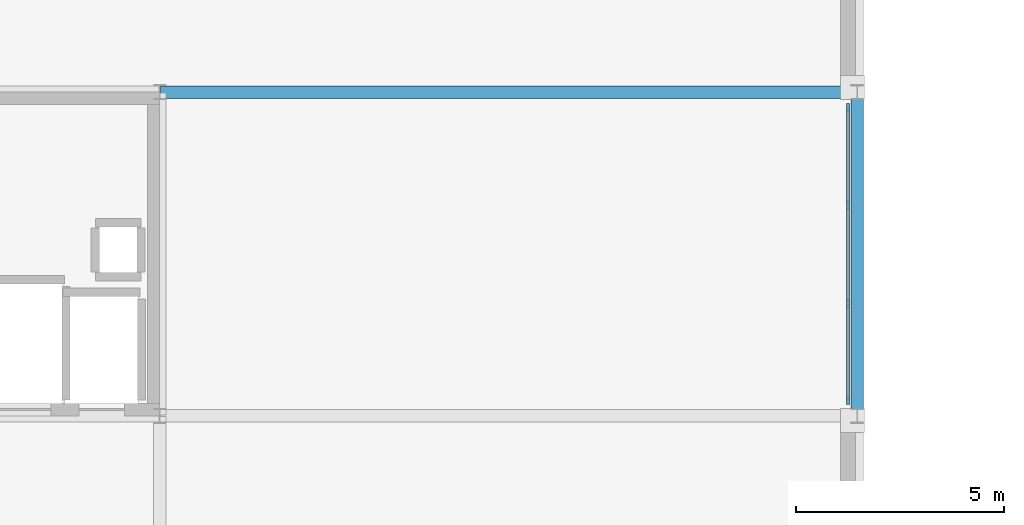
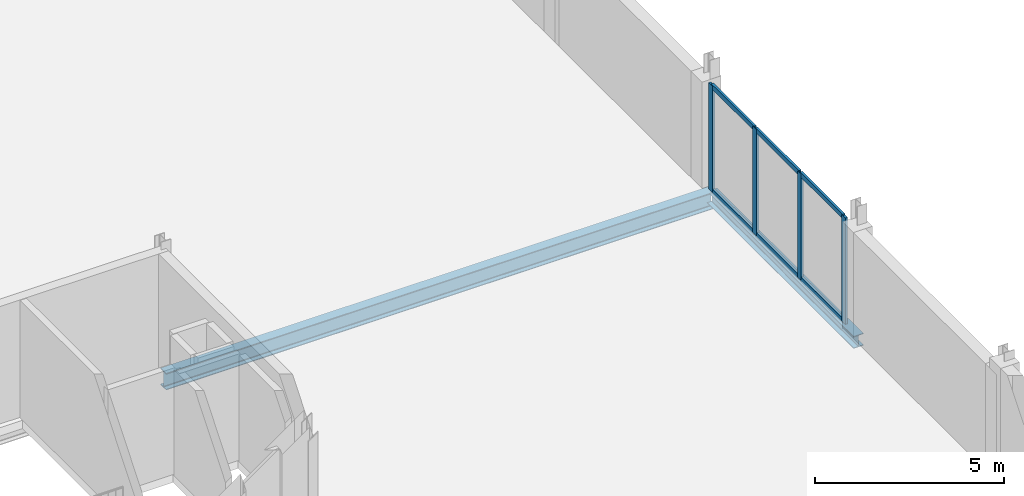
# One storey, part 23 of 77: 10 members, 2 beams, 1 element without a shape of its own.
"""IFC4 building model written with IfcOpenShell, lengths in metres."""

from ifc_helpers import new_model, si_unit, direction, frame, origin, origin_2d, place, context, subcontext, project, spatial, rectangle, i_section, extrude, material, material_profile, profile_set, type_object, element, aggregate, save


model = new_model("IFC4")

# Units and contexts
model_context = context("Model", 3, precision=1e-05, world=origin(), true_north=direction((0.0, 1.0)))
body_context = subcontext(model_context, "Body", "Model", "MODEL_VIEW")
ifc_project = project(units=[si_unit("LENGTHUNIT", "METRE"), si_unit("AREAUNIT", "SQUARE_METRE"), si_unit("VOLUMEUNIT", "CUBIC_METRE"), si_unit("PLANEANGLEUNIT", "RADIAN"), si_unit("MASSUNIT", "GRAM", prefix="KILO")], contexts=[model_context])

# Site, building, storey
site_placement = place(None, origin())
site = spatial("IfcSite", under=ifc_project, at=site_placement, CompositionType="ELEMENT")
building_placement = place(site_placement, origin())
building = spatial("IfcBuilding", under=site, at=building_placement, Name="Nabrawat Pavilion Hospital", CompositionType="ELEMENT")
storey_placement = place(building_placement, frame((0.0, 0.0, 14.85009765625)))
storey = spatial("IfcBuildingStorey", under=building, at=storey_placement, Name="L03", CompositionType="ELEMENT", Elevation=14.85009765625)

# Curtain wall, members
ifc_material_1 = material(Name="Anodised Aluminium", Category="aluminium")
curtain_wall_type = type_object("IfcCurtainWallType", Name="Emergency Concourse Glazed Screen", PredefinedType="USERDEFINED", material=ifc_material_1)
curtain_wall_placement = place(storey_placement, origin())
curtain_wall = element("IfcCurtainWall", 1, at=curtain_wall_placement, inside=storey, type_object=curtain_wall_type, Name="L03 Emergency Concourse Glazed Screen 142", ObjectType="CURTAIN WALL", PredefinedType="USERDEFINED")
ifc_material_profile_1 = material_profile(ifc_material_1, rectangle(XDim=0.070068359375, YDim=0.199951171875, at=origin_2d()), Name="CWM 70x200")
ifc_profile_set_1 = profile_set([ifc_material_profile_1], Name="Anodised Aluminium")
member_type_1 = type_object("IfcMemberType", Name="Emergency Concourse Glazed Screen Mullion CWM 70x200", PredefinedType="MULLION", material=ifc_profile_set_1)
member_1_placement = place(storey_placement, frame((58.580078125, 54.97998046875, 0.0), z_axis=(0.0, 0.0, 1.0), x_axis=(-1.0, 0.0, 0.0)))
member_1 = element("IfcMember", 2, at=member_1_placement, type_object=member_type_1, Name="CW-ED-01 mullion 1", PredefinedType="MULLION", context=body_context, shape_type="SweptSolid", body=[
    extrude(rectangle(XDim=0.070068359375, YDim=0.199951171875, at=origin_2d()), origin(), (0.0, 0.0, 1.0), 3.43994140625),
])
member_2_placement = place(storey_placement, frame((58.580078125, 57.31494140625, 0.0), z_axis=(0.0, 0.0, 1.0), x_axis=(-1.0, 0.0, 0.0)))
member_2 = element("IfcMember", 3, at=member_2_placement, type_object=member_type_1, Name="CW-ED-01 mullion 2", PredefinedType="MULLION", context=body_context, shape_type="SweptSolid", body=[
    extrude(rectangle(XDim=0.070068359375, YDim=0.199951171875, at=origin_2d()), origin(), (0.0, 0.0, 1.0), 3.43994140625),
])
member_3_placement = place(storey_placement, frame((58.580078125, 59.68505859375, 0.0), z_axis=(0.0, 0.0, 1.0), x_axis=(-1.0, 0.0, 0.0)))
member_3 = element("IfcMember", 4, at=member_3_placement, type_object=member_type_1, Name="CW-ED-01 mullion 3", PredefinedType="MULLION", context=body_context, shape_type="SweptSolid", body=[
    extrude(rectangle(XDim=0.070068359375, YDim=0.199951171875, at=origin_2d()), origin(), (0.0, 0.0, 1.0), 3.43994140625),
])
member_4_placement = place(storey_placement, frame((58.580078125, 62.02001953125, 0.0), z_axis=(0.0, 0.0, 1.0), x_axis=(-1.0, 0.0, 0.0)))
member_4 = element("IfcMember", 5, at=member_4_placement, type_object=member_type_1, Name="CW-ED-01 mullion 4", PredefinedType="MULLION", context=body_context, shape_type="SweptSolid", body=[
    extrude(rectangle(XDim=0.070068359375, YDim=0.199951171875, at=origin_2d()), origin(), (0.0, 0.0, 1.0), 3.43994140625),
])
ifc_material_profile_2 = material_profile(ifc_material_1, rectangle(XDim=0.070068359375, YDim=0.14990234375, at=origin_2d()), Name="CWT 70x150")
ifc_profile_set_2 = profile_set([ifc_material_profile_2], Name="Anodised Aluminium")
member_type_2 = type_object("IfcMemberType", Name="Emergency Concourse Glazed Screen Transom CWT 70x150", PredefinedType="USERDEFINED", material=ifc_profile_set_2)
member_5_placement = place(storey_placement, frame((58.580078125, 55.014892578125, 0.034912109375), z_axis=(0.0, 1.0, 0.0), x_axis=(-1.0, 0.0, 0.0)))
member_5 = element("IfcMember", 6, at=member_5_placement, type_object=member_type_2, Name="CW-ED-01 transom 1.1", ObjectType="TRANSOM", PredefinedType="USERDEFINED", context=body_context, shape_type="SweptSolid", body=[
    extrude(rectangle(XDim=0.070068359375, YDim=0.14990234375, at=origin_2d()), origin(), (0.0, 0.0, 1.0), 2.26513671875),
])
member_6_placement = place(storey_placement, frame((58.580078125, 55.014892578125, 3.40478515625), z_axis=(0.0, 1.0, 0.0), x_axis=(-1.0, 0.0, 0.0)))
member_6 = element("IfcMember", 7, at=member_6_placement, type_object=member_type_2, Name="CW-ED-01 transom 1.2", ObjectType="TRANSOM", PredefinedType="USERDEFINED", context=body_context, shape_type="SweptSolid", body=[
    extrude(rectangle(XDim=0.070068359375, YDim=0.14990234375, at=origin_2d()), origin(), (0.0, 0.0, 1.0), 2.26513671875),
])
member_7_placement = place(storey_placement, frame((58.580078125, 57.35009765625, 0.034912109375), z_axis=(0.0, 1.0, 0.0), x_axis=(-1.0, 0.0, 0.0)))
member_7 = element("IfcMember", 8, at=member_7_placement, type_object=member_type_2, Name="CW-ED-01 transom 2.1", ObjectType="TRANSOM", PredefinedType="USERDEFINED", context=body_context, shape_type="SweptSolid", body=[
    extrude(rectangle(XDim=0.070068359375, YDim=0.14990234375, at=origin_2d()), origin(), (0.0, 0.0, 1.0), 2.2998046875),
])
member_8_placement = place(storey_placement, frame((58.580078125, 57.35009765625, 3.40478515625), z_axis=(0.0, 1.0, 0.0), x_axis=(-1.0, 0.0, 0.0)))
member_8 = element("IfcMember", 9, at=member_8_placement, type_object=member_type_2, Name="CW-ED-01 transom 2.2", ObjectType="TRANSOM", PredefinedType="USERDEFINED", context=body_context, shape_type="SweptSolid", body=[
    extrude(rectangle(XDim=0.070068359375, YDim=0.14990234375, at=origin_2d()), origin(), (0.0, 0.0, 1.0), 2.2998046875),
])
member_9_placement = place(storey_placement, frame((58.580078125, 59.719970703125, 0.034912109375), z_axis=(0.0, 1.0, 0.0), x_axis=(-1.0, 0.0, 0.0)))
member_9 = element("IfcMember", 10, at=member_9_placement, type_object=member_type_2, Name="CW-ED-01 transom 3.1", ObjectType="TRANSOM", PredefinedType="USERDEFINED", context=body_context, shape_type="SweptSolid", body=[
    extrude(rectangle(XDim=0.070068359375, YDim=0.14990234375, at=origin_2d()), origin(), (0.0, 0.0, 1.0), 2.26513671875),
])
member_10_placement = place(storey_placement, frame((58.580078125, 59.719970703125, 3.40478515625), z_axis=(0.0, 1.0, 0.0), x_axis=(-1.0, 0.0, 0.0)))
member_10 = element("IfcMember", 11, at=member_10_placement, type_object=member_type_2, Name="CW-ED-01 transom 3.2", ObjectType="TRANSOM", PredefinedType="USERDEFINED", context=body_context, shape_type="SweptSolid", body=[
    extrude(rectangle(XDim=0.070068359375, YDim=0.14990234375, at=origin_2d()), origin(), (0.0, 0.0, 1.0), 2.26513671875),
])
aggregate(curtain_wall, [member_1, member_2, member_3, member_4, member_5, member_6, member_7, member_8, member_9, member_10])

# Beams
ifc_material_2 = material(Name="Steel S355", Category="steel")
ifc_material_profile_3 = material_profile(ifc_material_2, i_section(OverallWidth=0.300048828125, OverallDepth=0.389892578125, WebThickness=0.010986328125, FlangeThickness=0.01904296875, FilletRadius=0.027099609375, at=origin_2d()), Name="HEA 400")
ifc_profile_set_3 = profile_set([ifc_material_profile_3], Name="Steel S355")
beam_type_1 = type_object("IfcBeamType", Name="Perimeter Moment Spandrel Beam HEA 400", PredefinedType="SPANDREL", material=ifc_profile_set_3)
beam_1_placement = place(storey_placement, frame((58.800048828125, 54.6201171875, -0.465087890625), z_axis=(0.0, 1.0, 0.0), x_axis=(-1.0, 0.0, 0.0)))
element("IfcBeam", 12, at=beam_1_placement, inside=storey, type_object=beam_type_1, Name="L03 Primary Y Beam 1613", PredefinedType="SPANDREL", context=body_context, shape_type="SweptSolid", body=[
    extrude(i_section(OverallWidth=0.300048828125, OverallDepth=0.389892578125, WebThickness=0.010986328125, FlangeThickness=0.01904296875, FilletRadius=0.027099609375, at=origin_2d()), origin(), (0.0, 0.0, 1.0), 7.759765625),
])
ifc_material_profile_4 = material_profile(ifc_material_2, i_section(OverallWidth=0.300048828125, OverallDepth=0.5400390625, WebThickness=0.012451171875, FlangeThickness=0.02392578125, FilletRadius=0.027099609375, at=origin_2d()), Name="HEA 550")
ifc_profile_set_4 = profile_set([ifc_material_profile_4], Name="Steel S355")
beam_type_2 = type_object("IfcBeamType", Name="Primary Clinical Girder HEA 550", PredefinedType="USERDEFINED", material=ifc_profile_set_4)
beam_2_placement = place(storey_placement, frame((42.02001953125, 62.39990234375, -0.5400390625), z_axis=(1.0, 0.0, 0.0), x_axis=(0.0, 1.0, 0.0)))
element("IfcBeam", 13, at=beam_2_placement, inside=storey, type_object=beam_type_2, Name="L03 Primary X Girder 1504", ObjectType="GIRDER", PredefinedType="USERDEFINED", context=body_context, shape_type="SweptSolid", body=[
    extrude(i_section(OverallWidth=0.300048828125, OverallDepth=0.5400390625, WebThickness=0.012451171875, FlangeThickness=0.02392578125, FilletRadius=0.027099609375, at=origin_2d()), origin(), (0.0, 0.0, 1.0), 16.760009765625),
])

save(model, "model.ifc")
